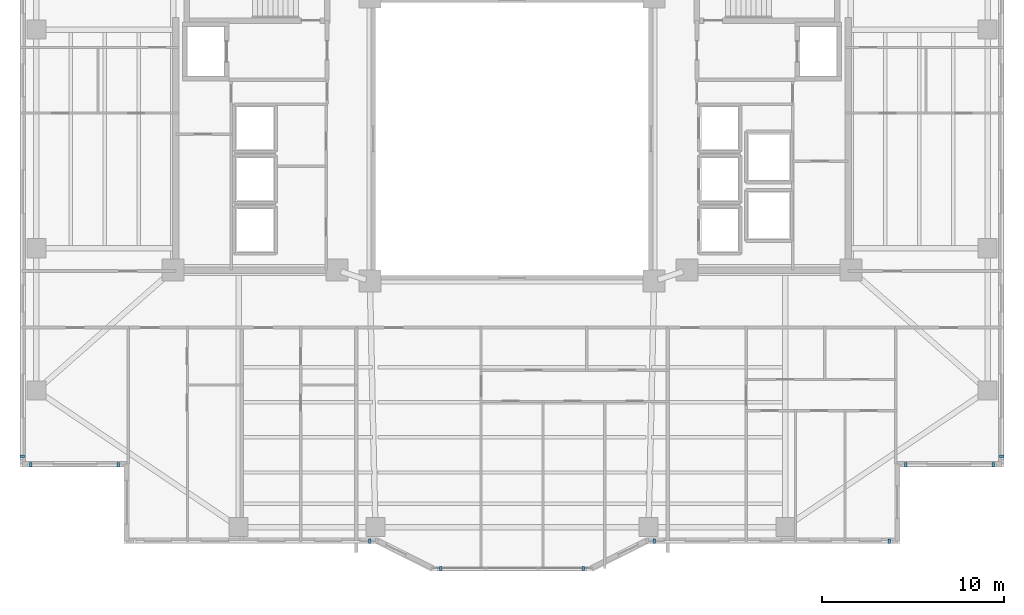
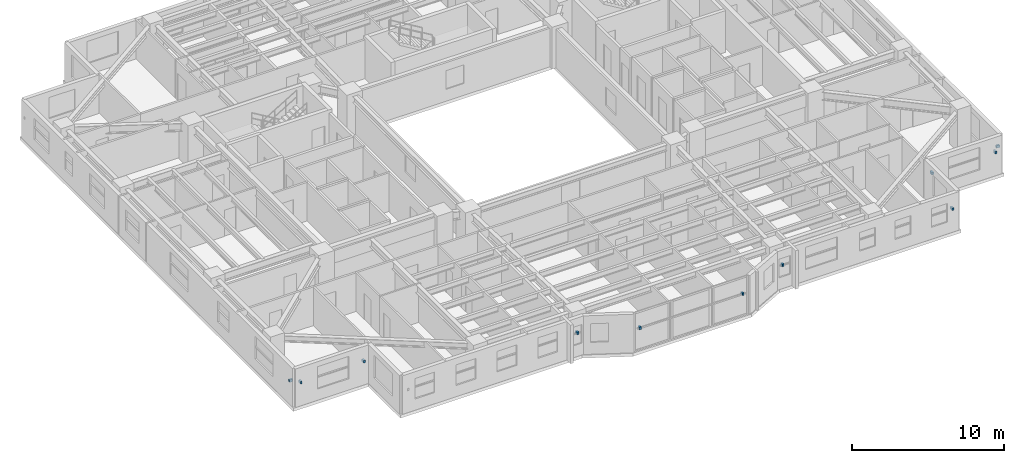
# One storey, part 13 of 19: 11 discrete accessories.
"""IFC4 building model written with IfcOpenShell, lengths in metres."""

from ifc_helpers import new_model, si_unit, direction, frame, origin, origin_2d, place, context, subcontext, project, spatial, rectangle, extrude, material, type_object, element, save


model = new_model("IFC4")

# Units and contexts
model_context = context("Model", 3, precision=1e-05, world=origin(), true_north=direction((0.0, 1.0)))
body_context = subcontext(model_context, "Body", "Model", "MODEL_VIEW")
ifc_project = project(units=[si_unit("LENGTHUNIT", "METRE"), si_unit("AREAUNIT", "SQUARE_METRE"), si_unit("VOLUMEUNIT", "CUBIC_METRE"), si_unit("PLANEANGLEUNIT", "RADIAN"), si_unit("MASSUNIT", "GRAM", prefix="KILO")], contexts=[model_context])

# Site, building, storey
site_placement = place(None, origin())
site = spatial("IfcSite", under=ifc_project, at=site_placement, CompositionType="ELEMENT")
building_placement = place(site_placement, origin())
building = spatial("IfcBuilding", under=site, at=building_placement, Name="Tarnavaz Court Tower", CompositionType="ELEMENT")
storey_placement = place(building_placement, frame((0.0, 0.0, 111.800048828125)))
storey = spatial("IfcBuildingStorey", under=building, at=storey_placement, Name="L30", CompositionType="ELEMENT", Elevation=111.800048828125)

# Discrete accessories
ifc_material = material(Name="Anodised Aluminium 6063-T6", Category="aluminium")
discrete_accessory_type = type_object("IfcDiscreteAccessoryType", Name="DA-BRKT-ALU", PredefinedType="BRACKET", material=ifc_material)
for number, where, z_axis, x_axis, name in (
    (1, (-21.60009765625, -17.8701171875, 1.75), (0.0, 0.0, 1.0), (-1.0, 0.0, 0.0), "L30 Baguette Outrigger Bracket FBG01-1"),
    (2, (-26.39990234375, -17.8701171875, 1.75), (0.0, 0.0, 1.0), (-1.0, 0.0, 0.0), "L30 Baguette Outrigger Bracket FBG01-2"),
    (3, (-26.8701171875, -17.39990234375, 1.75), (0.0, 0.0, 1.0), (0.0, 1.0, 0.0), "L30 Baguette Outrigger Bracket FBG02-1"),
    (4, (26.8701171875, -17.39990234375, 1.75), (0.0, 0.0, 1.0), (0.0, -1.0, 0.0), "L30 Baguette Outrigger Bracket FBG12-2"),
    (5, (26.39990234375, -17.8701171875, 1.75), (0.0, 0.0, 1.0), (-1.0, 0.0, 0.0), "L30 Baguette Outrigger Bracket FBG13-1"),
    (6, (21.60009765625, -17.8701171875, 1.75), (0.0, 0.0, 1.0), (-1.0, 0.0, 0.0), "L30 Baguette Outrigger Bracket FBG13-2"),
    (7, (20.699951171875, -22.070068359375, 1.75), (0.0, 0.0, 1.0), (-1.0, 0.0, 0.0), "L30 Baguette Outrigger Bracket FBG15-1"),
    (8, (7.800048828125, -22.070068359375, 1.75), (0.0, 0.0, 1.0), (-1.0, 0.0, 0.0), "L30 Baguette Outrigger Bracket FBG15-2"),
    (9, (3.89990234375, -23.570068359375, 1.7001953125), (0.0, 0.0, 1.0), (-1.0, 0.0, 0.0), "L30 Baguette Outrigger Bracket PBG17-1"),
    (10, (-3.89990234375, -23.570068359375, 1.7001953125), (0.0, 0.0, 1.0), (-1.0, 0.0, 0.0), "L30 Baguette Outrigger Bracket PBG17-2"),
    (11, (-7.800048828125, -22.070068359375, 1.75), (0.0, 0.0, 1.0), (-1.0, 0.0, 0.0), "L30 Baguette Outrigger Bracket FBG19-1"),
):
    element("IfcDiscreteAccessory", number, at=place(storey_placement, frame(where, z_axis=z_axis, x_axis=x_axis)), inside=storey, type_object=discrete_accessory_type, Name=name, PredefinedType="BRACKET", context=body_context, shape_type="SweptSolid", body=[
        extrude(rectangle(XDim=0.139892578125, YDim=0.239990234375, at=origin_2d()), origin(), (0.0, 0.0, 1.0), 0.199951171875),
    ])

save(model, "model.ifc")
